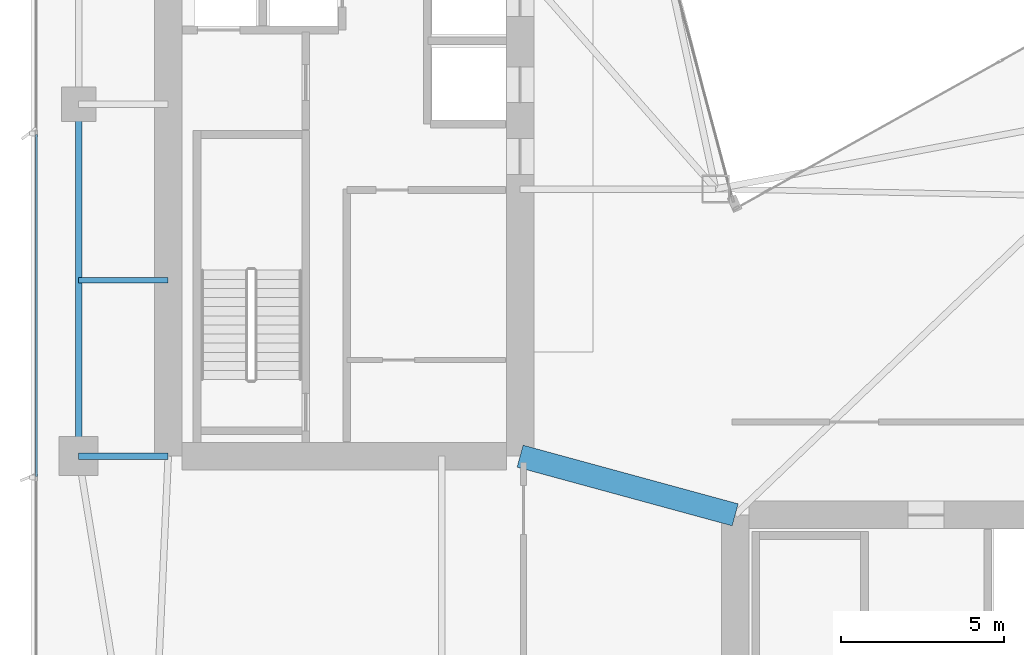
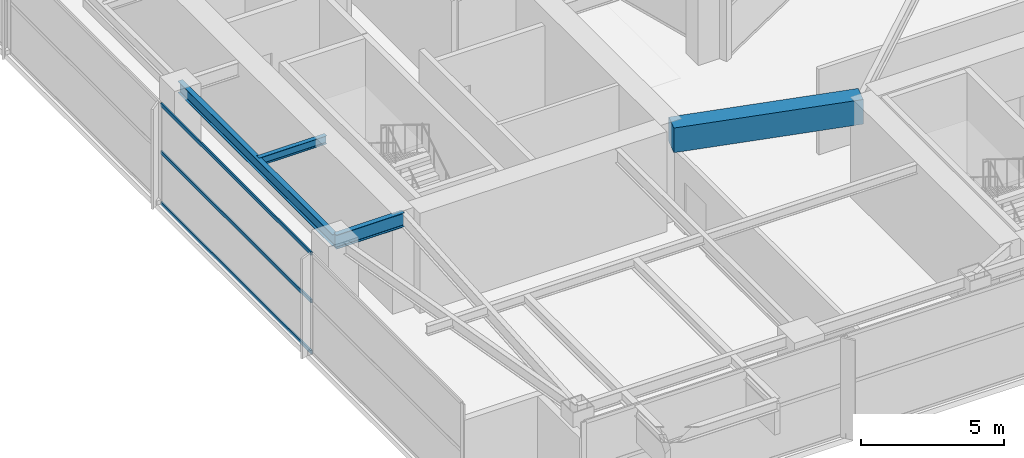
# One storey, part 6 of 26: 4 beams, 3 members, 1 element without a shape of its own.
"""IFC4 building model written with IfcOpenShell, lengths in metres."""

from ifc_helpers import new_model, si_unit, direction, frame, origin, origin_2d, place, context, subcontext, project, spatial, rectangle, hollow_rectangle, i_section, extrude, material, layer, layer_set, material_profile, profile_set, type_object, element, aggregate, save


model = new_model("IFC4")

# Units and contexts
model_context = context("Model", 3, precision=1e-05, world=origin(), true_north=direction((0.0, 1.0)))
body_context = subcontext(model_context, "Body", "Model", "MODEL_VIEW")
ifc_project = project(units=[si_unit("LENGTHUNIT", "METRE"), si_unit("AREAUNIT", "SQUARE_METRE"), si_unit("VOLUMEUNIT", "CUBIC_METRE"), si_unit("PLANEANGLEUNIT", "RADIAN"), si_unit("MASSUNIT", "GRAM", prefix="KILO")], contexts=[model_context])

# Site, building, storey
site_placement = place(None, origin())
site = spatial("IfcSite", under=ifc_project, at=site_placement, CompositionType="ELEMENT")
building_placement = place(site_placement, origin())
building = spatial("IfcBuilding", under=site, at=building_placement, Name="Calvorn Quay Hotel", CompositionType="ELEMENT")
storey_placement = place(building_placement, frame((0.0, 0.0, 144.0)))
storey = spatial("IfcBuildingStorey", under=building, at=storey_placement, Name="L35", CompositionType="ELEMENT", Elevation=144.0)

# Beams
ifc_material_1 = material(Name="Steel Q355B", Category="steel")
ifc_material_profile_1 = material_profile(ifc_material_1, i_section(OverallWidth=0.199951171875, OverallDepth=0.60009765625, WebThickness=0.010986328125, FlangeThickness=0.01708984375, FilletRadius=0.01806640625, at=origin_2d()), Name="HN600x200x11x17")
ifc_profile_set_1 = profile_set([ifc_material_profile_1], Name="Steel Q355B")
beam_type_1 = type_object("IfcBeamType", Name="BM-GIRD-TYP", PredefinedType="BEAM", material=ifc_profile_set_1)
beam_1_placement = place(storey_placement, frame((1.449951171875, 16.800048828125, 3.93994140625), z_axis=(1.0, 0.0, 0.0), x_axis=(0.0, 1.0, 0.0)))
element("IfcBeam", 1, at=beam_1_placement, inside=storey, type_object=beam_type_1, Name="Beam BG-L35-W1", PredefinedType="BEAM", context=body_context, shape_type="SweptSolid", body=[
    extrude(i_section(OverallWidth=0.199951171875, OverallDepth=0.60009765625, WebThickness=0.010986328125, FlangeThickness=0.01708984375, FilletRadius=0.01806640625, at=origin_2d()), origin(), (0.0, 0.0, 1.0), 2.75),
])
ifc_material_2 = material(Name="Steel Q355B", Category="steel")
ifc_material_profile_2 = material_profile(ifc_material_2, i_section(OverallWidth=0.175048828125, OverallDepth=0.35009765625, WebThickness=0.007080078125, FlangeThickness=0.010986328125, FilletRadius=0.013916015625, at=origin_2d()), Name="HN350x175x7x11")
ifc_profile_set_2 = profile_set([ifc_material_profile_2], Name="Steel Q355B")
beam_type_2 = type_object("IfcBeamType", Name="BM-JOIST-SEC", PredefinedType="JOIST", material=ifc_profile_set_2)
beam_2_placement = place(storey_placement, frame((1.449951171875, 22.199951171875, 4.06494140625), z_axis=(1.0, 0.0, 0.0), x_axis=(0.0, 1.0, 0.0)))
element("IfcBeam", 2, at=beam_2_placement, inside=storey, type_object=beam_type_2, Name="Beam BJ-L35-W3", PredefinedType="JOIST", context=body_context, shape_type="SweptSolid", body=[
    extrude(i_section(OverallWidth=0.175048828125, OverallDepth=0.35009765625, WebThickness=0.007080078125, FlangeThickness=0.010986328125, FilletRadius=0.013916015625, at=origin_2d()), origin(), (0.0, 0.0, 1.0), 2.75),
])
ifc_material_3 = material(Name="Concrete C50", Category="concrete")
ifc_material_profile_3 = material_profile(ifc_material_3, rectangle(XDim=0.699951171875, YDim=1.050048828125, at=origin_2d()), Name="RCB700x1050")
ifc_profile_set_3 = profile_set([ifc_material_profile_3], Name="Concrete C50")
beam_type_3 = type_object("IfcBeamType", Name="BM-RC-LINK-700x1050", PredefinedType="BEAM", material=ifc_profile_set_3)
beam_3_placement = place(storey_placement, frame((15.0, 16.800048828125, 3.715087890625), z_axis=(0.964762997686, -0.263120425462, 0.0), x_axis=(0.263120425462, 0.964762997686, 0.0)))
element("IfcBeam", 3, at=beam_3_placement, inside=storey, type_object=beam_type_3, Name="Beam BCL-L35-01", PredefinedType="BEAM", context=body_context, shape_type="SweptSolid", body=[
    extrude(rectangle(XDim=0.699951171875, YDim=1.050048828125, at=origin_2d()), origin(), (0.0, 0.0, 1.0), 6.841064453125),
])
ifc_material_4 = material(Name="Steel Q355B", Category="steel")
ifc_material_profile_4 = material_profile(ifc_material_4, i_section(OverallWidth=0.199951171875, OverallDepth=0.5, WebThickness=0.010009765625, FlangeThickness=0.01611328125, FilletRadius=0.01611328125, at=origin_2d()), Name="HN500x200x10x16")
ifc_profile_set_4 = profile_set([ifc_material_profile_4], Name="Steel Q355B")
beam_type_4 = type_object("IfcBeamType", Name="BM-SPANDREL-Z1", PredefinedType="SPANDREL", material=ifc_profile_set_4)
beam_4_placement = place(storey_placement, frame((1.449951171875, 16.800048828125, 3.989990234375), z_axis=(0.0, 1.0, 0.0), x_axis=(-1.0, 0.0, 0.0)))
element("IfcBeam", 4, at=beam_4_placement, inside=storey, type_object=beam_type_4, Name="Beam BSP-L35-W2", PredefinedType="SPANDREL", context=body_context, shape_type="SweptSolid", body=[
    extrude(i_section(OverallWidth=0.199951171875, OverallDepth=0.5, WebThickness=0.010009765625, FlangeThickness=0.01611328125, FilletRadius=0.01611328125, at=origin_2d()), origin(), (0.0, 0.0, 1.0), 10.800048828125),
])

# Curtain wall, members
ifc_material_5 = material(Name="Pale Anodised Aluminium and Low-E Glass", Category="aluminium")
ifc_layer = layer(ifc_material_5, 0.219970703125)
ifc_layer_set = layer_set([ifc_layer], Name="CW-SYS-Z2")
curtain_wall_type = type_object("IfcCurtainWallType", Name="CW-SYS-Z2", PredefinedType="NOTDEFINED", material=ifc_layer_set)
curtain_wall_placement = place(storey_placement, origin())
curtain_wall = element("IfcCurtainWall", 5, at=curtain_wall_placement, inside=storey, type_object=curtain_wall_type, Name="Tower West Curtain Wall (L35)", PredefinedType="NOTDEFINED")
ifc_material_6 = material(Name="Pale Anodised Aluminium 6063-T6", Category="aluminium")
ifc_material_profile_5 = material_profile(ifc_material_6, hollow_rectangle(XDim=0.06005859375, YDim=0.14990234375, WallThickness=0.00341796875, at=origin_2d()), Name="ALU-T150x60x3.5")
ifc_profile_set_5 = profile_set([ifc_material_profile_5], Name="Pale Anodised Aluminium 6063-T6")
member_type = type_object("IfcMemberType", Name="CW-SYS-Z2-TRN", PredefinedType="USERDEFINED", material=ifc_profile_set_5)
member_1_placement = place(storey_placement, frame((0.14990234375, 16.179931640625, 0.030029296875), z_axis=(0.0, 1.0, 0.0), x_axis=(-1.0, 0.0, 0.0)))
member_1 = element("IfcMember", 6, at=member_1_placement, type_object=member_type, Name="CW-L35-W transom 2.1", ObjectType="TRANSOM", PredefinedType="USERDEFINED", context=body_context, shape_type="SweptSolid", body=[
    extrude(hollow_rectangle(XDim=0.06005859375, YDim=0.14990234375, WallThickness=0.00341796875, at=origin_2d()), origin(), (0.0, 0.0, 1.0), 10.489990234375),
])
member_2_placement = place(storey_placement, frame((0.14990234375, 16.179931640625, 2.199951171875), z_axis=(0.0, 1.0, 0.0), x_axis=(-1.0, 0.0, 0.0)))
member_2 = element("IfcMember", 7, at=member_2_placement, type_object=member_type, Name="CW-L35-W transom 2.2", ObjectType="TRANSOM", PredefinedType="USERDEFINED", context=body_context, shape_type="SweptSolid", body=[
    extrude(hollow_rectangle(XDim=0.06005859375, YDim=0.14990234375, WallThickness=0.00341796875, at=origin_2d()), origin(), (0.0, 0.0, 1.0), 10.489990234375),
])
member_3_placement = place(storey_placement, frame((0.14990234375, 16.179931640625, 4.22998046875), z_axis=(0.0, 1.0, 0.0), x_axis=(-1.0, 0.0, 0.0)))
member_3 = element("IfcMember", 8, at=member_3_placement, type_object=member_type, Name="CW-L35-W transom 2.3", ObjectType="TRANSOM", PredefinedType="USERDEFINED", context=body_context, shape_type="SweptSolid", body=[
    extrude(hollow_rectangle(XDim=0.06005859375, YDim=0.14990234375, WallThickness=0.00341796875, at=origin_2d()), origin(), (0.0, 0.0, 1.0), 10.489990234375),
])
aggregate(curtain_wall, [member_1, member_2, member_3])

save(model, "model.ifc")
